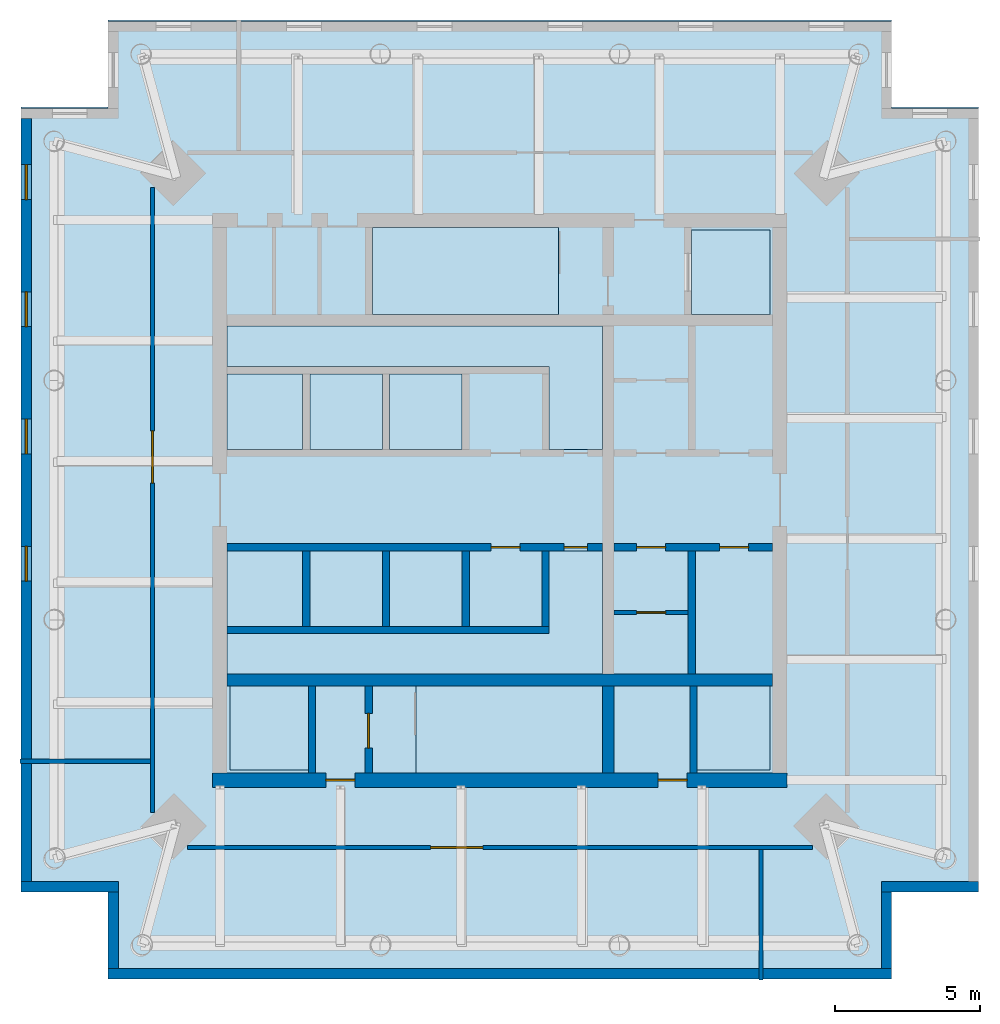
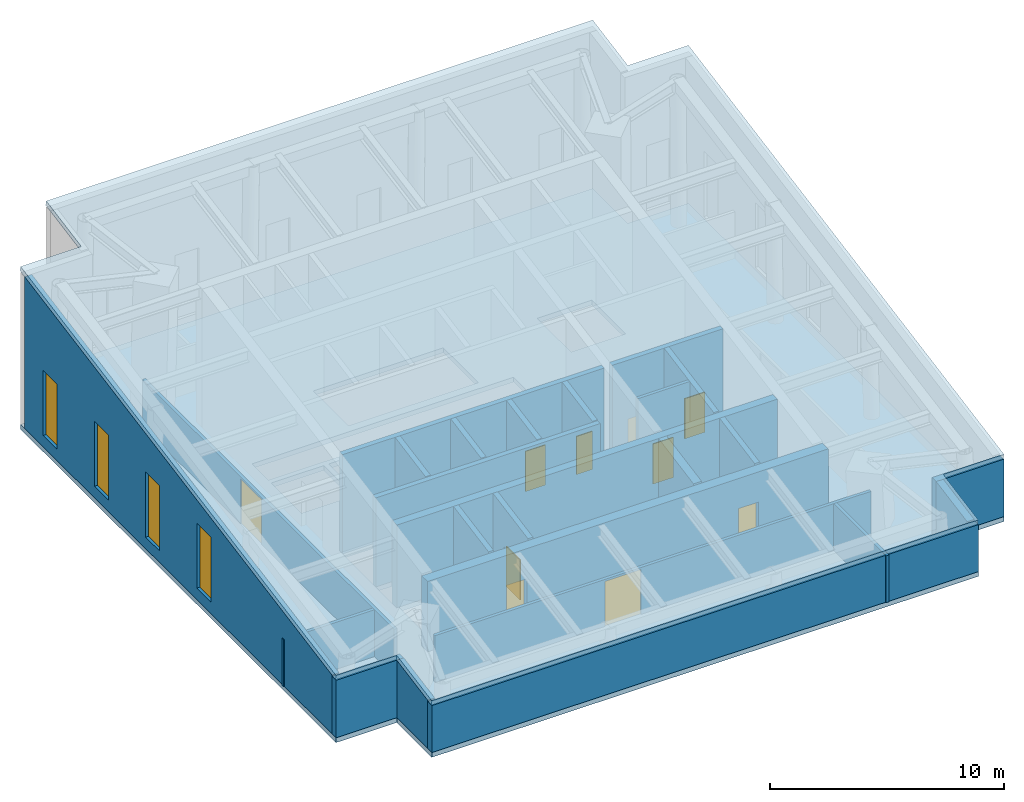
# One storey, part 2 of 5: 25 walls, 10 doors, 4 windows, 2 slabs, 14 openings.
"""IFC4 building model written with IfcOpenShell, lengths in metres."""

from ifc_helpers import new_model, si_unit, direction, frame, frame_2d, origin, place, context, subcontext, project, spatial, polyline, rectangle, outline, extrude, material, layer, layer_set, type_object, element, fill, save


model = new_model("IFC4")

# Units and contexts
model_context = context("Model", 3, precision=1e-05, world=origin(), true_north=direction((0.0, 1.0)))
body_context = subcontext(model_context, "Body", "Model", "MODEL_VIEW")
ifc_project = project(units=[si_unit("LENGTHUNIT", "METRE"), si_unit("AREAUNIT", "SQUARE_METRE"), si_unit("VOLUMEUNIT", "CUBIC_METRE"), si_unit("PLANEANGLEUNIT", "RADIAN"), si_unit("MASSUNIT", "GRAM", prefix="KILO")], contexts=[model_context])

# Site, building, storey
site_placement = place(None, origin())
site = spatial("IfcSite", under=ifc_project, at=site_placement, CompositionType="ELEMENT")
building_placement = place(site_placement, origin())
building = spatial("IfcBuilding", under=site, at=building_placement, Name="Ostroluk Exchange", CompositionType="ELEMENT")
storey_placement = place(building_placement, frame((0.0, 0.0, 290.800048828125)))
storey = spatial("IfcBuildingStorey", under=building, at=storey_placement, Name="L75", CompositionType="ELEMENT", Elevation=290.800048828125)

# Slabs
ifc_material_1 = material(Name="Concrete C35/45", Category="concrete")
ifc_layer_1 = layer(ifc_material_1, 0.25)
ifc_layer_set_1 = layer_set([ifc_layer_1], Name="Crown roof slab 250")
slab_type_1 = type_object("IfcSlabType", Name="Crown roof slab 250", PredefinedType="ROOF", material=ifc_layer_set_1)
slab_1_placement = place(storey_placement, frame((31.5, 29.5, 2.699951171875), z_axis=(0.0, -0.181771830623, 0.983340735245), x_axis=(1.0, 0.0, 0.0)))
element("IfcSlab", 1, at=slab_1_placement, inside=storey, type_object=slab_type_1, Name="Office tower crown roof", PredefinedType="ROOF", context=body_context, shape_type="SweptSolid", body=[
    extrude(outline(polyline([(0.0, 0.0), (27.0, 0.0), (27.0, 3.050804390145034), (30.0, 3.050804390145034), (30.0, 30.50822141300368), (27.0, 30.50822141300368), (27.0, 33.55907018103705), (0.0, 33.55907018103705), (0.0, 30.50822141300368), (-3.0, 30.50822141300368), (-3.0, 3.050804390145034), (0.0, 3.050804390145034), (0.0, 0.0)])), origin(), (0.0, 0.0, -1.0), 0.25),
])
ifc_material_2 = material(Name="Concrete C35/45", Category="concrete")
ifc_layer_2 = layer(ifc_material_2, 0.25)
ifc_layer_set_2 = layer_set([ifc_layer_2], Name="Tower floor slab 250")
slab_type_2 = type_object("IfcSlabType", Name="Tower floor slab 250", PredefinedType="FLOOR", material=ifc_layer_set_2)
slab_2_placement = place(storey_placement, frame((0.0, 0.0, -0.25)))
element("IfcSlab", 2, at=slab_2_placement, inside=storey, type_object=slab_type_2, Name="Office tower floor slab L75", PredefinedType="FLOOR", context=body_context, shape_type="SweptSolid", body=[
    extrude(outline(polyline([(31.5, 29.5), (58.5, 29.5), (58.5, 32.5), (61.5, 32.5), (61.5, 59.5), (58.5, 59.5), (58.5, 62.5), (31.5, 62.5), (31.5, 59.5), (28.5, 59.5), (28.5, 32.5), (31.5, 32.5), (31.5, 29.5)]), holes=[polyline([(35.699951171875, 36.699951171875), (38.39990234375, 36.699951171875), (38.39990234375, 39.60009765625), (35.699951171875, 39.60009765625), (35.699951171875, 36.699951171875)]), polyline([(42.110107421875, 36.60009765625), (48.530029296875, 36.60009765625), (48.530029296875, 39.60009765625), (42.110107421875, 39.60009765625), (42.110107421875, 36.60009765625)]), polyline([(51.800048828125, 36.699951171875), (54.300048828125, 36.699951171875), (54.300048828125, 39.60009765625), (51.800048828125, 39.60009765625), (51.800048828125, 36.699951171875)]), polyline([(40.60009765625, 52.39990234375), (47.02001953125, 52.39990234375), (47.02001953125, 55.39990234375), (40.60009765625, 55.39990234375), (40.60009765625, 52.39990234375)]), polyline([(51.60009765625, 52.39990234375), (54.300048828125, 52.39990234375), (54.300048828125, 55.300048828125), (51.60009765625, 55.300048828125), (51.60009765625, 52.39990234375)]), polyline([(35.60009765625, 47.75), (38.199951171875, 47.75), (38.199951171875, 50.35009765625), (35.60009765625, 50.35009765625), (35.60009765625, 47.75)]), polyline([(38.449951171875, 47.75), (40.949951171875, 47.75), (40.949951171875, 50.35009765625), (38.449951171875, 50.35009765625), (38.449951171875, 47.75)]), polyline([(41.199951171875, 47.75), (43.699951171875, 47.75), (43.699951171875, 50.35009765625), (41.199951171875, 50.35009765625), (41.199951171875, 47.75)]), polyline([(35.60009765625, 41.64990234375), (38.199951171875, 41.64990234375), (38.199951171875, 44.25), (35.60009765625, 44.25), (35.60009765625, 41.64990234375)]), polyline([(38.449951171875, 41.64990234375), (40.949951171875, 41.64990234375), (40.949951171875, 44.25), (38.449951171875, 44.25), (38.449951171875, 41.64990234375)]), polyline([(41.199951171875, 41.64990234375), (43.699951171875, 41.64990234375), (43.699951171875, 44.25), (41.199951171875, 44.25), (41.199951171875, 41.64990234375)]), polyline([(48.530029296875, 52.0), (48.530029296875, 47.75), (46.699951171875, 47.75), (46.699951171875, 50.60009765625), (35.60009765625, 50.60009765625), (35.60009765625, 52.0), (48.530029296875, 52.0)]), polyline([(35.60009765625, 40.0), (35.60009765625, 41.39990234375), (46.699951171875, 41.39990234375), (46.699951171875, 44.25), (48.530029296875, 44.25), (48.530029296875, 40.0), (35.60009765625, 40.0)])]), origin(), (0.0, 0.0, 1.0), 0.25),
])

# Wall, opening, door
ifc_material_3 = material(Name="Concrete blockwork", Category="masonry")
ifc_layer_3 = layer(ifc_material_3, 0.14990234375)
ifc_layer_set_3 = layer_set([ifc_layer_3], Name="Blockwork plant room wall 150")
wall_type_1 = type_object("IfcWallType", Name="Blockwork plant room wall 150", PredefinedType="SOLIDWALL", material=ifc_layer_set_3)
wall_1_placement = place(storey_placement, frame((48.929931640625, 42.125, 0.0), z_axis=(0.0, 0.0, 1.0), x_axis=(1.0, 0.0, 0.0)))
wall_1 = element("IfcWall", 3, at=wall_1_placement, inside=storey, type_object=wall_type_1, Name="Core room wall", PredefinedType="SOLIDWALL", context=body_context, shape_type="SweptSolid", body=[
    extrude(rectangle(XDim=2.56005859375, YDim=0.14990234375, at=frame_2d((1.280029296875, 0.0))), origin(), (0.0, 0.0, 1.0), 4.769775390625),
])
opening_1_placement = place(wall_1_placement, frame((0.780029296875, 0.0, 0.0)))
opening_1 = element("IfcOpeningElement", 4, at=opening_1_placement, cuts=wall_1, Name="Opening FD60", PredefinedType="OPENING", context=body_context, shape_type="SweptSolid", body=[
    extrude(rectangle(XDim=1.0, YDim=2.10009765625, at=frame_2d((0.5, 1.050048828125))), frame((0.0, 0.0849609375, 0.0), z_axis=(0.0, -1.0, 0.0), x_axis=(1.0, 0.0, 0.0)), (0.0, 0.0, 1.0), 0.169921875),
])
ifc_material_4 = material(Name="Steel", Category="steel")
door_type_1 = type_object("IfcDoorType", Name="Fire door EI 60 1000 x 2100", OperationType="SINGLE_SWING_LEFT", PredefinedType="DOOR", material=ifc_material_4)
door_1_placement = place(opening_1_placement, origin())
door_1 = element("IfcDoor", 5, at=door_1_placement, inside=storey, type_object=door_type_1, Name="Archive store door", OperationType="SINGLE_SWING_LEFT", OverallHeight=2.10009765625, OverallWidth=1.0, PredefinedType="DOOR", context=body_context, shape_type="SweptSolid", body=[
    extrude(rectangle(XDim=1.0, YDim=2.10009765625, at=frame_2d((0.5, 1.050048828125))), frame((0.0, 0.02490234375, 0.0), z_axis=(0.0, -1.0, 0.0), x_axis=(1.0, 0.0, 0.0)), (0.0, 0.0, 1.0), 0.050048828125),
])
fill(opening_1, door_1)

wall_2_placement = place(storey_placement, frame((33.02490234375, 56.7685546875, 0.0), z_axis=(0.0, 0.0, 1.0), x_axis=(0.0, -1.0, 0.0)))
wall_2 = element("IfcWall", 6, at=wall_2_placement, inside=storey, type_object=wall_type_1, Name="Plant room wall", PredefinedType="SOLIDWALL", context=body_context, shape_type="SweptSolid", body=[
    extrude(rectangle(XDim=21.537109375, YDim=0.14990234375, at=frame_2d((10.7685546875, 0.0))), origin(), (0.0, 0.0, 1.0), 2.449951171875),
])
opening_2_placement = place(wall_2_placement, frame((8.381103515625, 0.0, 0.0)))
opening_2 = element("IfcOpeningElement", 7, at=opening_2_placement, cuts=wall_2, Name="Opening D-05A", PredefinedType="OPENING", context=body_context, shape_type="SweptSolid", body=[
    extrude(rectangle(XDim=1.800048828125, YDim=2.35009765625, at=frame_2d((0.89990234375, 1.175048828125))), frame((0.0, 0.0849609375, 0.0), z_axis=(0.0, -1.0, 0.0), x_axis=(1.0, 0.0, 0.0)), (0.0, 0.0, 1.0), 0.169921875),
])
ifc_material_5 = material(Name="Steel", Category="steel")
door_type_2 = type_object("IfcDoorType", Name="Plant room double door EI 60 1800 x 2350", OperationType="DOUBLE_DOOR_SINGLE_SWING", PredefinedType="DOOR", material=ifc_material_5)
door_2_placement = place(opening_2_placement, origin())
door_2 = element("IfcDoor", 8, at=door_2_placement, inside=storey, type_object=door_type_2, Name="Crown plant room door", OperationType="DOUBLE_DOOR_SINGLE_SWING", OverallHeight=2.35009765625, OverallWidth=1.800048828125, PredefinedType="DOOR", context=body_context, shape_type="SweptSolid", body=[
    extrude(rectangle(XDim=1.800048828125, YDim=2.35009765625, at=frame_2d((0.89990234375, 1.175048828125))), frame((0.0, 0.02490234375, 0.0), z_axis=(0.0, -1.0, 0.0), x_axis=(1.0, 0.0, 0.0)), (0.0, 0.0, 1.0), 0.050048828125),
])
fill(opening_2, door_2)

# Wall
wall_3_placement = place(storey_placement, frame((32.949951171875, 37.0, 0.0), z_axis=(0.0, 0.0, 1.0), x_axis=(-1.0, 0.0, 0.0)))
element("IfcWall", 9, at=wall_3_placement, inside=storey, type_object=wall_type_1, Name="Plant room wall", PredefinedType="SOLIDWALL", context=body_context, shape_type="SweptSolid", body=[
    extrude(rectangle(XDim=4.489990234375, YDim=0.14990234375, at=frame_2d((2.2451171875, 0.0))), origin(), (0.0, 0.0, 1.0), 2.449951171875),
])

# Wall, opening, door
wall_4_placement = place(storey_placement, frame((34.2314453125, 34.02490234375, 0.0), z_axis=(0.0, 0.0, 1.0), x_axis=(1.0, 0.0, 0.0)))
wall_4 = element("IfcWall", 10, at=wall_4_placement, inside=storey, type_object=wall_type_1, Name="Plant room wall", PredefinedType="SOLIDWALL", context=body_context, shape_type="SweptSolid", body=[
    extrude(rectangle(XDim=21.537109375, YDim=0.14990234375, at=frame_2d((10.7685546875, 0.0))), origin(), (0.0, 0.0, 1.0), 2.449951171875),
])
opening_3_placement = place(wall_4_placement, frame((8.381103515625, 0.0, 0.0)))
opening_3 = element("IfcOpeningElement", 11, at=opening_3_placement, cuts=wall_4, Name="Opening D-05A", PredefinedType="OPENING", context=body_context, shape_type="SweptSolid", body=[
    extrude(rectangle(XDim=1.800048828125, YDim=2.35009765625, at=frame_2d((0.89990234375, 1.175048828125))), frame((0.0, 0.0849609375, 0.0), z_axis=(0.0, -1.0, 0.0), x_axis=(1.0, 0.0, 0.0)), (0.0, 0.0, 1.0), 0.169921875),
])
door_3_placement = place(opening_3_placement, origin())
door_3 = element("IfcDoor", 12, at=door_3_placement, inside=storey, type_object=door_type_2, Name="Crown plant room door", OperationType="DOUBLE_DOOR_SINGLE_SWING", OverallHeight=2.35009765625, OverallWidth=1.800048828125, PredefinedType="DOOR", context=body_context, shape_type="SweptSolid", body=[
    extrude(rectangle(XDim=1.800048828125, YDim=2.35009765625, at=frame_2d((0.89990234375, 1.175048828125))), frame((0.0, 0.02490234375, 0.0), z_axis=(0.0, -1.0, 0.0), x_axis=(1.0, 0.0, 0.0)), (0.0, 0.0, 1.0), 0.050048828125),
])
fill(opening_3, door_3)

# Walls
wall_5_placement = place(storey_placement, frame((54.0, 33.949951171875, 0.0), z_axis=(0.0, 0.0, 1.0), x_axis=(0.0, -1.0, 0.0)))
element("IfcWall", 13, at=wall_5_placement, inside=storey, type_object=wall_type_1, Name="Plant room wall", PredefinedType="SOLIDWALL", context=body_context, shape_type="SweptSolid", body=[
    extrude(rectangle(XDim=4.489990234375, YDim=0.14990234375, at=frame_2d((2.2451171875, 0.0))), origin(), (0.0, 0.0, 1.0), 2.449951171875),
])
ifc_material_6 = material(Name="Concrete C50/60", Category="concrete")
ifc_layer_4 = layer(ifc_material_6, 0.39990234375)
ifc_layer_set_4 = layer_set([ifc_layer_4], Name="Core cross wall 400 C50/60")
wall_type_2 = type_object("IfcWallType", Name="Core cross wall 400 C50/60", PredefinedType="SHEAR", material=ifc_layer_set_4)
wall_6_placement = place(storey_placement, frame((35.60009765625, 39.800048828125, 0.0), z_axis=(0.0, 0.0, 1.0), x_axis=(1.0, 0.0, 0.0)))
element("IfcWall", 14, at=wall_6_placement, inside=storey, type_object=wall_type_2, Name="T1 core wall XS", PredefinedType="SHEAR", context=body_context, shape_type="SweptSolid", body=[
    extrude(rectangle(XDim=18.7998046875, YDim=0.39990234375, at=frame_2d((9.39990234375, 0.0))), origin(), (0.0, 0.0, 1.0), 4.31689453125),
])
wall_7_placement = place(storey_placement, frame((48.72998046875, 36.60009765625, 0.0), z_axis=(0.0, 0.0, 1.0), x_axis=(0.0, 1.0, 0.0)))
element("IfcWall", 15, at=wall_7_placement, inside=storey, type_object=wall_type_2, Name="T1 core wall YE1", PredefinedType="SHEAR", context=body_context, shape_type="SweptSolid", body=[
    extrude(outline(polyline([(0.0, 0.0), (3.0, 0.0), (3.0, 4.31689453125), (0.0, 3.762451171875), (0.0, 0.0)])), frame((0.0, 0.199951171875, 0.0), z_axis=(0.0, -1.0, 0.0), x_axis=(1.0, 0.0, 0.0)), (0.0, 0.0, 1.0), 0.39990234375),
])
ifc_material_7 = material(Name="Concrete C40/50", Category="concrete")
ifc_layer_5 = layer(ifc_material_7, 0.25)
ifc_layer_set_5 = layer_set([ifc_layer_5], Name="Core shaft wall 250")
wall_type_3 = type_object("IfcWallType", Name="Core shaft wall 250", PredefinedType="SHEAR", material=ifc_layer_set_5)
wall_8_placement = place(storey_placement, frame((38.52490234375, 36.60009765625, 0.0), z_axis=(0.0, 0.0, 1.0), x_axis=(0.0, 1.0, 0.0)))
element("IfcWall", 16, at=wall_8_placement, inside=storey, type_object=wall_type_3, Name="Firefighting lift shaft wall", PredefinedType="SHEAR", context=body_context, shape_type="SweptSolid", body=[
    extrude(outline(polyline([(0.0, 0.0), (3.0, 0.0), (3.0, 4.31689453125), (0.0, 3.762451171875), (0.0, 0.0)])), frame((0.0, 0.125, 0.0), z_axis=(0.0, -1.0, 0.0), x_axis=(1.0, 0.0, 0.0)), (0.0, 0.0, 1.0), 0.25),
])

# Wall, opening, door
wall_9_placement = place(storey_placement, frame((40.47509765625, 36.60009765625, 0.0), z_axis=(0.0, 0.0, 1.0), x_axis=(0.0, 1.0, 0.0)))
wall_9 = element("IfcWall", 17, at=wall_9_placement, inside=storey, type_object=wall_type_3, Name="Stair shaft wall", PredefinedType="SHEAR", context=body_context, shape_type="SweptSolid", body=[
    extrude(outline(polyline([(0.0, 0.0), (3.0, 0.0), (3.0, 4.31689453125), (0.0, 3.762451171875), (0.0, 0.0)])), frame((0.0, 0.125, 0.0), z_axis=(0.0, -1.0, 0.0), x_axis=(1.0, 0.0, 0.0)), (0.0, 0.0, 1.0), 0.25),
])
opening_4_placement = place(wall_9_placement, frame((0.85009765625, 0.0, 0.0)))
opening_4 = element("IfcOpeningElement", 18, at=opening_4_placement, cuts=wall_9, Name="Opening FD60S", PredefinedType="OPENING", context=body_context, shape_type="SweptSolid", body=[
    extrude(rectangle(XDim=1.199951171875, YDim=2.10009765625, at=frame_2d((0.60009765625, 1.050048828125))), frame((0.0, 0.135009765625, 0.0), z_axis=(0.0, -1.0, 0.0), x_axis=(1.0, 0.0, 0.0)), (0.0, 0.0, 1.0), 0.27001953125),
])
ifc_material_8 = material(Name="Steel", Category="steel")
door_type_3 = type_object("IfcDoorType", Name="Stair door EI 60 1200 x 2100", OperationType="SINGLE_SWING_LEFT", PredefinedType="DOOR", material=ifc_material_8)
door_4_placement = place(opening_4_placement, origin())
door_4 = element("IfcDoor", 19, at=door_4_placement, inside=storey, type_object=door_type_3, Name="Stair T1-S1 door", OperationType="SINGLE_SWING_LEFT", OverallHeight=2.10009765625, OverallWidth=1.199951171875, PredefinedType="DOOR", context=body_context, shape_type="SweptSolid", body=[
    extrude(rectangle(XDim=1.199951171875, YDim=2.10009765625, at=frame_2d((0.60009765625, 1.050048828125))), frame((0.0, 0.02490234375, 0.0), z_axis=(0.0, -1.0, 0.0), x_axis=(1.0, 0.0, 0.0)), (0.0, 0.0, 1.0), 0.050048828125),
])
fill(opening_4, door_4)

# Walls
wall_10_placement = place(storey_placement, frame((51.675048828125, 36.60009765625, 0.0), z_axis=(0.0, 0.0, 1.0), x_axis=(0.0, 1.0, 0.0)))
element("IfcWall", 20, at=wall_10_placement, inside=storey, type_object=wall_type_3, Name="Service lift shaft wall", PredefinedType="SHEAR", context=body_context, shape_type="SweptSolid", body=[
    extrude(outline(polyline([(0.0, 0.0), (3.0, 0.0), (3.0, 4.31689453125), (0.0, 3.762451171875), (0.0, 0.0)])), frame((0.0, 0.125, 0.0), z_axis=(0.0, -1.0, 0.0), x_axis=(1.0, 0.0, 0.0)), (0.0, 0.0, 1.0), 0.25),
])
for number, where, z_axis, x_axis, name in (
    (21, (38.324951171875, 44.25, 0.0), (0.0, 0.0, 1.0), (0.0, -1.0, 0.0), "Lift shaft wall"),
    (22, (41.074951171875, 44.25, 0.0), (0.0, 0.0, 1.0), (0.0, -1.0, 0.0), "Lift shaft wall"),
    (23, (43.824951171875, 44.25, 0.0), (0.0, 0.0, 1.0), (0.0, -1.0, 0.0), "Lift shaft wall"),
    (24, (46.574951171875, 44.25, 0.0), (0.0, 0.0, 1.0), (0.0, -1.0, 0.0), "Lift shaft wall"),
):
    element("IfcWall", number, at=place(storey_placement, frame(where, z_axis=z_axis, x_axis=x_axis)), inside=storey, type_object=wall_type_3, Name=name, PredefinedType="SHEAR", context=body_context, shape_type="SweptSolid", body=[
        extrude(outline(polyline([(0.0, 0.0), (2.60009765625, 0.0), (2.60009765625, 4.69580078125), (0.0, 5.176513671875), (0.0, 0.0)])), frame((0.0, 0.125, 0.0), z_axis=(0.0, -1.0, 0.0), x_axis=(1.0, 0.0, 0.0)), (0.0, 0.0, 1.0), 0.25),
    ])
wall_11_placement = place(storey_placement, frame((35.60009765625, 41.52490234375, 0.0), z_axis=(0.0, 0.0, 1.0), x_axis=(1.0, 0.0, 0.0)))
element("IfcWall", 25, at=wall_11_placement, inside=storey, type_object=wall_type_3, Name="Lift shaft wall", PredefinedType="SHEAR", context=body_context, shape_type="SweptSolid", body=[
    extrude(rectangle(XDim=11.099853515625, YDim=0.25, at=frame_2d((5.5498046875, 0.0))), origin(), (0.0, 0.0, 1.0), 4.649658203125),
])

# Wall, openings, doors
wall_12_placement = place(storey_placement, frame((35.60009765625, 44.375, 0.0), z_axis=(0.0, 0.0, 1.0), x_axis=(1.0, 0.0, 0.0)))
wall_12 = element("IfcWall", 26, at=wall_12_placement, inside=storey, type_object=wall_type_3, Name="Lift shaft front wall", PredefinedType="SHEAR", context=body_context, shape_type="SweptSolid", body=[
    extrude(rectangle(XDim=12.929931640625, YDim=0.25, at=frame_2d((6.46484375, 0.0))), origin(), (0.0, 0.0, 1.0), 5.176513671875),
])
opening_5_placement = place(wall_12_placement, frame((9.10009765625, 0.0, 0.0)))
opening_5 = element("IfcOpeningElement", 27, at=opening_5_placement, cuts=wall_12, Name="Opening FD60", PredefinedType="OPENING", context=body_context, shape_type="SweptSolid", body=[
    extrude(rectangle(XDim=1.0, YDim=2.10009765625, at=frame_2d((0.5, 1.050048828125))), frame((0.0, 0.135009765625, 0.0), z_axis=(0.0, -1.0, 0.0), x_axis=(1.0, 0.0, 0.0)), (0.0, 0.0, 1.0), 0.27001953125),
])
opening_6_placement = place(wall_12_placement, frame((11.614990234375, 0.0, 0.0)))
opening_6 = element("IfcOpeningElement", 28, at=opening_6_placement, cuts=wall_12, Name="Opening RD60", PredefinedType="OPENING", context=body_context, shape_type="SweptSolid", body=[
    extrude(rectangle(XDim=0.800048828125, YDim=2.0, at=frame_2d((0.39990234375, 1.0))), frame((0.0, 0.135009765625, 0.0), z_axis=(0.0, -1.0, 0.0), x_axis=(1.0, 0.0, 0.0)), (0.0, 0.0, 1.0), 0.27001953125),
])
door_5_placement = place(opening_5_placement, origin())
door_5 = element("IfcDoor", 29, at=door_5_placement, inside=storey, type_object=door_type_1, Name="Core room door", OperationType="SINGLE_SWING_RIGHT", OverallHeight=2.10009765625, OverallWidth=1.0, PredefinedType="DOOR", context=body_context, shape_type="SweptSolid", body=[
    extrude(rectangle(XDim=1.0, YDim=2.10009765625, at=frame_2d((0.5, 1.050048828125))), frame((0.0, 0.02490234375, 0.0), z_axis=(0.0, -1.0, 0.0), x_axis=(1.0, 0.0, 0.0)), (0.0, 0.0, 1.0), 0.050048828125),
])
fill(opening_5, door_5)
ifc_material_9 = material(Name="Steel", Category="steel")
door_type_4 = type_object("IfcDoorType", Name="Riser access door EI 60 800 x 2000", OperationType="SINGLE_SWING_LEFT", PredefinedType="DOOR", material=ifc_material_9)
door_6_placement = place(opening_6_placement, origin())
door_6 = element("IfcDoor", 30, at=door_6_placement, inside=storey, type_object=door_type_4, Name="Riser access door", OperationType="SINGLE_SWING_RIGHT", OverallHeight=2.0, OverallWidth=0.800048828125, PredefinedType="DOOR", context=body_context, shape_type="SweptSolid", body=[
    extrude(rectangle(XDim=0.800048828125, YDim=2.0, at=frame_2d((0.39990234375, 1.0))), frame((0.0, 0.02490234375, 0.0), z_axis=(0.0, -1.0, 0.0), x_axis=(1.0, 0.0, 0.0)), (0.0, 0.0, 1.0), 0.050048828125),
])
fill(opening_6, door_6)

# Wall
wall_13_placement = place(storey_placement, frame((51.614990234375, 44.25, 0.0), z_axis=(0.0, 0.0, 1.0), x_axis=(0.0, -1.0, 0.0)))
element("IfcWall", 31, at=wall_13_placement, inside=storey, type_object=wall_type_3, Name="Lift shaft wall", PredefinedType="SHEAR", context=body_context, shape_type="SweptSolid", body=[
    extrude(outline(polyline([(0.0, 0.0), (4.25, 0.0), (4.25, 4.390869140625), (0.0, 5.176513671875), (0.0, 0.0)])), frame((0.0, 0.125, 0.0), z_axis=(0.0, -1.0, 0.0), x_axis=(1.0, 0.0, 0.0)), (0.0, 0.0, 1.0), 0.25),
])

# Wall, openings, doors
wall_14_placement = place(storey_placement, frame((48.929931640625, 44.375, 0.0), z_axis=(0.0, 0.0, 1.0), x_axis=(1.0, 0.0, 0.0)))
wall_14 = element("IfcWall", 32, at=wall_14_placement, inside=storey, type_object=wall_type_3, Name="Lift shaft front wall", PredefinedType="SHEAR", context=body_context, shape_type="SweptSolid", body=[
    extrude(rectangle(XDim=5.469970703125, YDim=0.25, at=frame_2d((2.73486328125, 0.0))), origin(), (0.0, 0.0, 1.0), 5.176513671875),
])
opening_7_placement = place(wall_14_placement, frame((0.780029296875, 0.0, 0.0)))
opening_7 = element("IfcOpeningElement", 33, at=opening_7_placement, cuts=wall_14, Name="Opening FD60", PredefinedType="OPENING", context=body_context, shape_type="SweptSolid", body=[
    extrude(rectangle(XDim=1.0, YDim=2.10009765625, at=frame_2d((0.5, 1.050048828125))), frame((0.0, 0.135009765625, 0.0), z_axis=(0.0, -1.0, 0.0), x_axis=(1.0, 0.0, 0.0)), (0.0, 0.0, 1.0), 0.27001953125),
])
opening_8_placement = place(wall_14_placement, frame((3.639892578125, 0.0, 0.0)))
opening_8 = element("IfcOpeningElement", 34, at=opening_8_placement, cuts=wall_14, Name="Opening FD60", PredefinedType="OPENING", context=body_context, shape_type="SweptSolid", body=[
    extrude(rectangle(XDim=1.0, YDim=2.10009765625, at=frame_2d((0.5, 1.050048828125))), frame((0.0, 0.135009765625, 0.0), z_axis=(0.0, -1.0, 0.0), x_axis=(1.0, 0.0, 0.0)), (0.0, 0.0, 1.0), 0.27001953125),
])
door_7_placement = place(opening_7_placement, origin())
door_7 = element("IfcDoor", 35, at=door_7_placement, inside=storey, type_object=door_type_1, Name="Core room door", OperationType="SINGLE_SWING_LEFT", OverallHeight=2.10009765625, OverallWidth=1.0, PredefinedType="DOOR", context=body_context, shape_type="SweptSolid", body=[
    extrude(rectangle(XDim=1.0, YDim=2.10009765625, at=frame_2d((0.5, 1.050048828125))), frame((0.0, 0.02490234375, 0.0), z_axis=(0.0, -1.0, 0.0), x_axis=(1.0, 0.0, 0.0)), (0.0, 0.0, 1.0), 0.050048828125),
])
fill(opening_7, door_7)
door_8_placement = place(opening_8_placement, origin())
door_8 = element("IfcDoor", 36, at=door_8_placement, inside=storey, type_object=door_type_1, Name="Core room door", OperationType="SINGLE_SWING_RIGHT", OverallHeight=2.10009765625, OverallWidth=1.0, PredefinedType="DOOR", context=body_context, shape_type="SweptSolid", body=[
    extrude(rectangle(XDim=1.0, YDim=2.10009765625, at=frame_2d((0.5, 1.050048828125))), frame((0.0, 0.02490234375, 0.0), z_axis=(0.0, -1.0, 0.0), x_axis=(1.0, 0.0, 0.0)), (0.0, 0.0, 1.0), 0.050048828125),
])
fill(opening_8, door_8)

ifc_material_10 = material(Name="Concrete C50/60", Category="concrete")
ifc_layer_6 = layer(ifc_material_10, 0.5)
ifc_layer_set_6 = layer_set([ifc_layer_6], Name="Core wall 500 C50/60")
wall_type_4 = type_object("IfcWallType", Name="Core wall 500 C50/60", PredefinedType="SHEAR", material=ifc_layer_set_6)
wall_15_placement = place(storey_placement, frame((35.10009765625, 36.35009765625, 0.0), z_axis=(0.0, 0.0, 1.0), x_axis=(1.0, 0.0, 0.0)))
wall_15 = element("IfcWall", 37, at=wall_15_placement, inside=storey, type_object=wall_type_4, Name="T1 core wall S", PredefinedType="SHEAR", context=body_context, shape_type="SweptSolid", body=[
    extrude(rectangle(XDim=19.7998046875, YDim=0.5, at=frame_2d((9.89990234375, 0.0))), origin(), (0.0, 0.0, 1.0), 3.669921875),
])
opening_9_placement = place(wall_15_placement, frame((3.89990234375, 0.0, 0.0)))
opening_9 = element("IfcOpeningElement", 38, at=opening_9_placement, cuts=wall_15, Name="Opening FD60", PredefinedType="OPENING", context=body_context, shape_type="SweptSolid", body=[
    extrude(rectangle(XDim=1.0, YDim=2.10009765625, at=frame_2d((0.5, 1.050048828125))), frame((0.0, 0.260009765625, 0.0), z_axis=(0.0, -1.0, 0.0), x_axis=(1.0, 0.0, 0.0)), (0.0, 0.0, 1.0), 0.52001953125),
])
opening_10_placement = place(wall_15_placement, frame((15.35009765625, 0.0, 0.0)))
opening_10 = element("IfcOpeningElement", 39, at=opening_10_placement, cuts=wall_15, Name="Opening FD60", PredefinedType="OPENING", context=body_context, shape_type="SweptSolid", body=[
    extrude(rectangle(XDim=1.0, YDim=2.10009765625, at=frame_2d((0.5, 1.050048828125))), frame((0.0, 0.260009765625, 0.0), z_axis=(0.0, -1.0, 0.0), x_axis=(1.0, 0.0, 0.0)), (0.0, 0.0, 1.0), 0.52001953125),
])
door_9_placement = place(opening_9_placement, origin())
door_9 = element("IfcDoor", 40, at=door_9_placement, inside=storey, type_object=door_type_1, Name="Firefighting lobby door", OperationType="SINGLE_SWING_LEFT", OverallHeight=2.10009765625, OverallWidth=1.0, PredefinedType="DOOR", context=body_context, shape_type="SweptSolid", body=[
    extrude(rectangle(XDim=1.0, YDim=2.10009765625, at=frame_2d((0.5, 1.050048828125))), frame((0.0, 0.02490234375, 0.0), z_axis=(0.0, -1.0, 0.0), x_axis=(1.0, 0.0, 0.0)), (0.0, 0.0, 1.0), 0.050048828125),
])
fill(opening_9, door_9)
door_10_placement = place(opening_10_placement, origin())
door_10 = element("IfcDoor", 41, at=door_10_placement, inside=storey, type_object=door_type_1, Name="Service lobby door", OperationType="SINGLE_SWING_RIGHT", OverallHeight=2.10009765625, OverallWidth=1.0, PredefinedType="DOOR", context=body_context, shape_type="SweptSolid", body=[
    extrude(rectangle(XDim=1.0, YDim=2.10009765625, at=frame_2d((0.5, 1.050048828125))), frame((0.0, 0.02490234375, 0.0), z_axis=(0.0, -1.0, 0.0), x_axis=(1.0, 0.0, 0.0)), (0.0, 0.0, 1.0), 0.050048828125),
])
fill(opening_10, door_10)

# Walls
ifc_material_11 = material(Name="Limestone", Category="masonry")
ifc_layer_7 = layer(ifc_material_11, 0.35009765625)
ifc_layer_set_7 = layer_set([ifc_layer_7], Name="Limestone facade wall 350")
wall_type_5 = type_object("IfcWallType", Name="Limestone facade wall 350", PredefinedType="SOLIDWALL", material=ifc_layer_set_7)
wall_16_placement = place(storey_placement, frame((31.5, 29.675048828125, 0.0), z_axis=(0.0, 0.0, 1.0), x_axis=(1.0, 0.0, 0.0)))
element("IfcWall", 42, at=wall_16_placement, inside=storey, type_object=wall_type_5, Name="Office tower crown wall 1", PredefinedType="SOLIDWALL", context=body_context, shape_type="SweptSolid", body=[
    extrude(rectangle(XDim=27.0, YDim=0.35009765625, at=frame_2d((13.5, 0.0))), origin(), (0.0, 0.0, 1.0), 2.449951171875),
])
wall_17_placement = place(storey_placement, frame((58.324951171875, 29.85009765625, 0.0), z_axis=(0.0, 0.0, 1.0), x_axis=(0.0, 1.0, 0.0)))
element("IfcWall", 43, at=wall_17_placement, inside=storey, type_object=wall_type_5, Name="Office tower crown wall 2", PredefinedType="SOLIDWALL", context=body_context, shape_type="SweptSolid", body=[
    extrude(outline(polyline([(0.0, 0.0), (2.64990234375, 0.0), (2.64990234375, 3.00439453125), (0.0, 2.5146484375), (0.0, 0.0)])), frame((0.0, 0.175048828125, 0.0), z_axis=(0.0, -1.0, 0.0), x_axis=(1.0, 0.0, 0.0)), (0.0, 0.0, 1.0), 0.35009765625),
])
wall_18_placement = place(storey_placement, frame((58.14990234375, 32.675048828125, 0.0), z_axis=(0.0, 0.0, 1.0), x_axis=(1.0, 0.0, 0.0)))
element("IfcWall", 44, at=wall_18_placement, inside=storey, type_object=wall_type_5, Name="Office tower crown wall 3", PredefinedType="SOLIDWALL", context=body_context, shape_type="SweptSolid", body=[
    extrude(rectangle(XDim=3.35009765625, YDim=0.35009765625, at=frame_2d((1.675048828125, 0.0))), origin(), (0.0, 0.0, 1.0), 3.00439453125),
])

# Wall, openings, windows
wall_19_placement = place(storey_placement, frame((28.675048828125, 59.14990234375, 0.0), z_axis=(0.0, 0.0, 1.0), x_axis=(0.0, -1.0, 0.0)))
wall_19 = element("IfcWall", 45, at=wall_19_placement, inside=storey, type_object=wall_type_5, Name="Office tower crown wall 10", PredefinedType="SOLIDWALL", context=body_context, shape_type="SweptSolid", body=[
    extrude(outline(polyline([(0.0, 0.0), (26.2998046875, 0.0), (26.300048828125, 3.069091796875), (0.0, 7.9306640625), (0.0, 0.0)])), frame((0.0, 0.175048828125, 0.0), z_axis=(0.0, -1.0, 0.0), x_axis=(1.0, 0.0, 0.0)), (0.0, 0.0, 1.0), 0.35009765625),
])
opening_11_placement = place(wall_19_placement, frame((1.591552734375, 0.0, 0.60009765625)))
opening_11 = element("IfcOpeningElement", 46, at=opening_11_placement, cuts=wall_19, Name="Opening WN-LV2", PredefinedType="OPENING", context=body_context, shape_type="SweptSolid", body=[
    extrude(rectangle(XDim=1.199951171875, YDim=3.39990234375, at=frame_2d((0.60009765625, 1.699951171875))), frame((0.0, 0.18505859375, 0.0), z_axis=(0.0, -1.0, 0.0), x_axis=(1.0, 0.0, 0.0)), (0.0, 0.0, 1.0), 0.3701171875),
])
opening_12_placement = place(wall_19_placement, frame((5.97509765625, 0.0, 0.60009765625)))
opening_12 = element("IfcOpeningElement", 47, at=opening_12_placement, cuts=wall_19, Name="Opening WN-LV2", PredefinedType="OPENING", context=body_context, shape_type="SweptSolid", body=[
    extrude(rectangle(XDim=1.199951171875, YDim=3.39990234375, at=frame_2d((0.60009765625, 1.699951171875))), frame((0.0, 0.18505859375, 0.0), z_axis=(0.0, -1.0, 0.0), x_axis=(1.0, 0.0, 0.0)), (0.0, 0.0, 1.0), 0.3701171875),
])
opening_13_placement = place(wall_19_placement, frame((10.3583984375, 0.0, 0.60009765625)))
opening_13 = element("IfcOpeningElement", 48, at=opening_13_placement, cuts=wall_19, Name="Opening WN-LV2", PredefinedType="OPENING", context=body_context, shape_type="SweptSolid", body=[
    extrude(rectangle(XDim=1.199951171875, YDim=3.39990234375, at=frame_2d((0.60009765625, 1.699951171875))), frame((0.0, 0.18505859375, 0.0), z_axis=(0.0, -1.0, 0.0), x_axis=(1.0, 0.0, 0.0)), (0.0, 0.0, 1.0), 0.3701171875),
])
opening_14_placement = place(wall_19_placement, frame((14.74169921875, 0.0, 0.60009765625)))
opening_14 = element("IfcOpeningElement", 49, at=opening_14_placement, cuts=wall_19, Name="Opening WN-LV2", PredefinedType="OPENING", context=body_context, shape_type="SweptSolid", body=[
    extrude(rectangle(XDim=1.199951171875, YDim=3.39990234375, at=frame_2d((0.60009765625, 1.699951171875))), frame((0.0, 0.18505859375, 0.0), z_axis=(0.0, -1.0, 0.0), x_axis=(1.0, 0.0, 0.0)), (0.0, 0.0, 1.0), 0.3701171875),
])
ifc_material_12 = material(Name="Aluminium louvre", Category="aluminium")
window_type = type_object("IfcWindowType", Name="Crown louvre 1200 x 3400", PartitioningType="SINGLE_PANEL", PredefinedType="USERDEFINED", material=ifc_material_12)
window_1_placement = place(opening_11_placement, origin())
window_1 = element("IfcWindow", 50, at=window_1_placement, inside=storey, type_object=window_type, Name="Office tower crown louvre 10.1", ObjectType="LOUVRE", OverallHeight=3.39990234375, OverallWidth=1.199951171875, PartitioningType="SINGLE_PANEL", PredefinedType="USERDEFINED", context=body_context, shape_type="SweptSolid", body=[
    extrude(rectangle(XDim=1.199951171875, YDim=3.39990234375, at=frame_2d((0.60009765625, 1.699951171875))), frame((0.0, 0.030029296875, 0.0), z_axis=(0.0, -1.0, 0.0), x_axis=(1.0, 0.0, 0.0)), (0.0, 0.0, 1.0), 0.06005859375),
])
fill(opening_11, window_1)
window_2_placement = place(opening_12_placement, origin())
window_2 = element("IfcWindow", 51, at=window_2_placement, inside=storey, type_object=window_type, Name="Office tower crown louvre 10.2", ObjectType="LOUVRE", OverallHeight=3.39990234375, OverallWidth=1.199951171875, PartitioningType="SINGLE_PANEL", PredefinedType="USERDEFINED", context=body_context, shape_type="SweptSolid", body=[
    extrude(rectangle(XDim=1.199951171875, YDim=3.39990234375, at=frame_2d((0.60009765625, 1.699951171875))), frame((0.0, 0.030029296875, 0.0), z_axis=(0.0, -1.0, 0.0), x_axis=(1.0, 0.0, 0.0)), (0.0, 0.0, 1.0), 0.06005859375),
])
fill(opening_12, window_2)
window_3_placement = place(opening_13_placement, origin())
window_3 = element("IfcWindow", 52, at=window_3_placement, inside=storey, type_object=window_type, Name="Office tower crown louvre 10.3", ObjectType="LOUVRE", OverallHeight=3.39990234375, OverallWidth=1.199951171875, PartitioningType="SINGLE_PANEL", PredefinedType="USERDEFINED", context=body_context, shape_type="SweptSolid", body=[
    extrude(rectangle(XDim=1.199951171875, YDim=3.39990234375, at=frame_2d((0.60009765625, 1.699951171875))), frame((0.0, 0.030029296875, 0.0), z_axis=(0.0, -1.0, 0.0), x_axis=(1.0, 0.0, 0.0)), (0.0, 0.0, 1.0), 0.06005859375),
])
fill(opening_13, window_3)
window_4_placement = place(opening_14_placement, origin())
window_4 = element("IfcWindow", 53, at=window_4_placement, inside=storey, type_object=window_type, Name="Office tower crown louvre 10.4", ObjectType="LOUVRE", OverallHeight=3.39990234375, OverallWidth=1.199951171875, PartitioningType="SINGLE_PANEL", PredefinedType="USERDEFINED", context=body_context, shape_type="SweptSolid", body=[
    extrude(rectangle(XDim=1.199951171875, YDim=3.39990234375, at=frame_2d((0.60009765625, 1.699951171875))), frame((0.0, 0.030029296875, 0.0), z_axis=(0.0, -1.0, 0.0), x_axis=(1.0, 0.0, 0.0)), (0.0, 0.0, 1.0), 0.06005859375),
])
fill(opening_14, window_4)

# Walls
wall_20_placement = place(storey_placement, frame((28.5, 32.675048828125, 0.0), z_axis=(0.0, 0.0, 1.0), x_axis=(1.0, 0.0, 0.0)))
element("IfcWall", 54, at=wall_20_placement, inside=storey, type_object=wall_type_5, Name="Office tower crown wall 11", PredefinedType="SOLIDWALL", context=body_context, shape_type="SweptSolid", body=[
    extrude(rectangle(XDim=3.35009765625, YDim=0.35009765625, at=frame_2d((1.675048828125, 0.0))), origin(), (0.0, 0.0, 1.0), 3.00439453125),
])
wall_21_placement = place(storey_placement, frame((31.675048828125, 32.5, 0.0), z_axis=(0.0, 0.0, 1.0), x_axis=(0.0, -1.0, 0.0)))
element("IfcWall", 55, at=wall_21_placement, inside=storey, type_object=wall_type_5, Name="Office tower crown wall 12", PredefinedType="SOLIDWALL", context=body_context, shape_type="SweptSolid", body=[
    extrude(outline(polyline([(0.0, 0.0), (2.64990234375, 0.0), (2.64990234375, 2.5146484375), (0.0, 3.00439453125), (0.0, 0.0)])), frame((0.0, 0.175048828125, 0.0), z_axis=(0.0, -1.0, 0.0), x_axis=(1.0, 0.0, 0.0)), (0.0, 0.0, 1.0), 0.35009765625),
])

save(model, "model.ifc")
